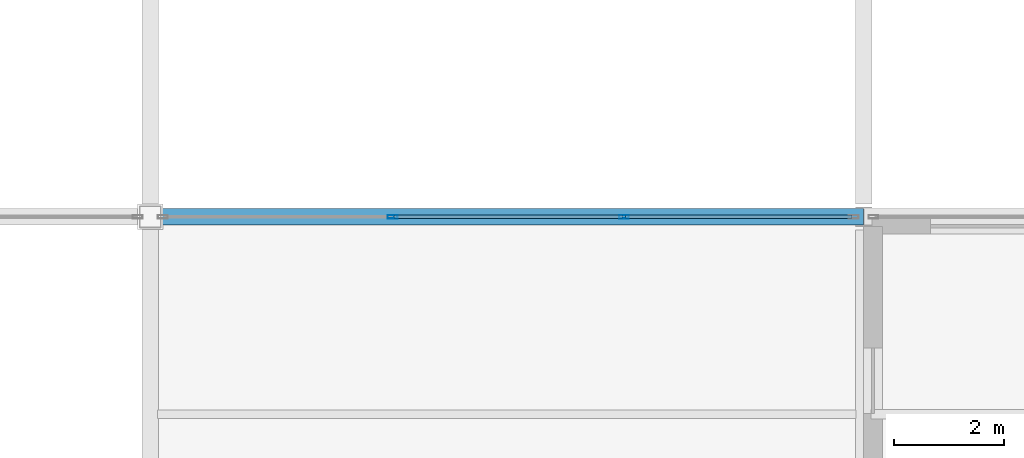
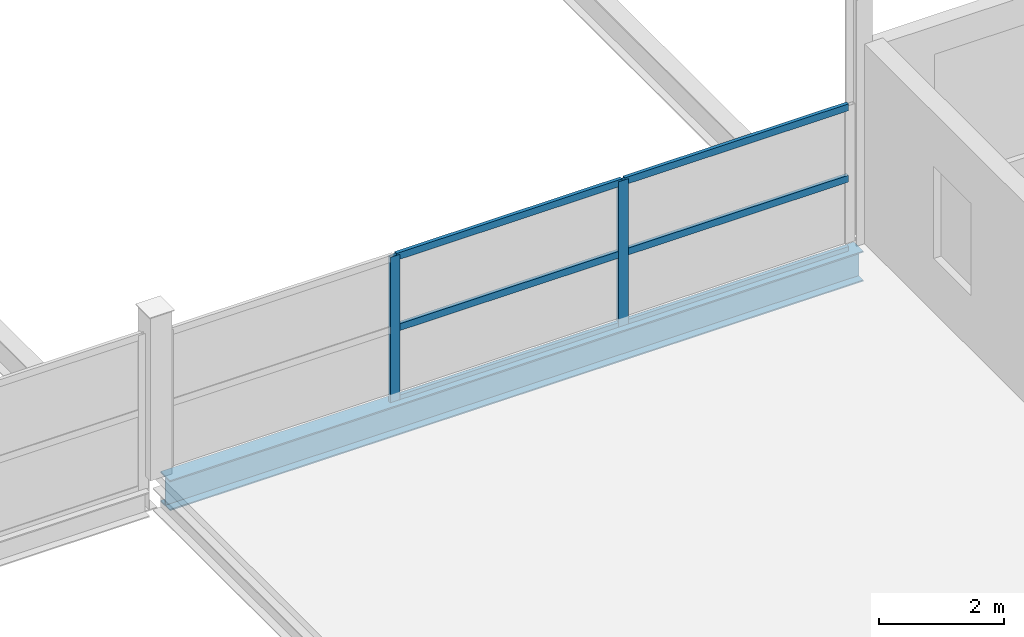
# One storey, part 85 of 134: 8 members, 1 beam, 1 element without a shape of its own.
"""IFC4 building model written with IfcOpenShell, lengths in metres."""

import ifcopenshell
import ifcopenshell.guid

model = None  # the IFC model being written
_history = None  # IfcOwnerHistory: only IFC2X3 demands one
_inside = {}  # id of a spatial element -> (the spatial element, [elements in it])
_under = {}  # id of a project, library or spatial element -> (it, [spatial elements below it])
_declared = {}  # id of a project -> (the project, [libraries it declares])
_typed = {}  # id of a type object -> (the type object, [elements of that type])
_made_of = {}  # id of a material, layer set ... -> (it, [elements and type objects made of it])


def new_model(schema):
    """Start an empty IFC model of exactly this schema.

    Asked for "IFC4X3", IfcOpenShell would pick the latest addendum, in which some entities
    have other attributes; the version numbers below select the first issue.
    IFC2X3 requires an IfcOwnerHistory on every rooted entity: one is made here for all.
    """
    global model, _history
    if schema == "IFC4X3":
        model = ifcopenshell.file(schema_version=(4, 3, 0, 0))
    else:
        model = ifcopenshell.file(schema=schema)
    _inside.clear()
    _under.clear()
    _declared.clear()
    _typed.clear()
    _made_of.clear()
    _history = None
    if model.schema == "IFC2X3":
        org = make("IfcOrganization", Name="unknown")
        user = make(
            "IfcPersonAndOrganization",
            ThePerson=make("IfcPerson", FamilyName="unknown"),
            TheOrganization=org,
        )
        app = make(
            "IfcApplication",
            ApplicationDeveloper=org,
            Version="unknown",
            ApplicationFullName="unknown",
            ApplicationIdentifier="unknown",
        )
        _history = make(
            "IfcOwnerHistory",
            OwningUser=user,
            OwningApplication=app,
            ChangeAction="ADDED",
            CreationDate=0,
        )
    return model


def make(cls, **values):
    """One entity of the class cls with the attributes given. An attribute that is None is left unset."""
    return model.create_entity(
        cls, **{name: value for name, value in values.items() if value is not None}
    )


def rooted(cls, **values):
    """An entity with a GlobalId (a new one), such as an element, a storey or a relation."""
    return make(cls, GlobalId=ifcopenshell.guid.new(), OwnerHistory=_history, **values)


def si_unit(unit_type, name, prefix=None):
    """IfcSIUnit, for example si_unit("LENGTHUNIT", "METRE", prefix="MILLI")."""
    return make("IfcSIUnit", UnitType=unit_type, Prefix=prefix, Name=name)


def assignment(units):
    """IfcUnitAssignment: the units of a project."""
    return None if units is None else make("IfcUnitAssignment", Units=units)


def point(xyz):
    """IfcCartesianPoint."""
    return None if xyz is None else make("IfcCartesianPoint", Coordinates=xyz)


def direction(xyz):
    """IfcDirection."""
    return None if xyz is None else make("IfcDirection", DirectionRatios=xyz)


def frame(location, z_axis=None, x_axis=None):
    """IfcAxis2Placement3D, a coordinate frame: its origin and axes. An axis left out is left unset."""
    return make(
        "IfcAxis2Placement3D",
        Location=point(location),
        Axis=direction(z_axis),
        RefDirection=direction(x_axis),
    )


def frame_2d(location, x_axis=None):
    """IfcAxis2Placement2D, a coordinate frame in the plane: its origin and x axis."""
    return make(
        "IfcAxis2Placement2D", Location=point(location), RefDirection=direction(x_axis)
    )


def origin():
    """The frame at (0, 0, 0) with its axes left unset."""
    return frame((0.0, 0.0, 0.0))


def origin_2d():
    """The frame at (0, 0) in the plane with its x axis left unset."""
    return frame_2d((0.0, 0.0))


def place(relative_to, where):
    """IfcLocalPlacement: puts the frame where relative to a parent placement (None: the world)."""
    return make(
        "IfcLocalPlacement", PlacementRelTo=relative_to, RelativePlacement=where
    )


def context(
    kind, dimensions, precision=None, world=None, true_north=None, identifier=None
):
    """IfcGeometricRepresentationContext, for example the 3D "Model" context."""
    return make(
        "IfcGeometricRepresentationContext",
        ContextIdentifier=identifier,
        ContextType=kind,
        CoordinateSpaceDimension=dimensions,
        Precision=precision,
        WorldCoordinateSystem=world,
        TrueNorth=true_north,
    )


def subcontext(parent, identifier, kind, view, scale=None):
    """IfcGeometricRepresentationSubContext, for example "Body" below "Model"."""
    return make(
        "IfcGeometricRepresentationSubContext",
        ContextIdentifier=identifier,
        ContextType=kind,
        ParentContext=parent,
        TargetScale=scale,
        TargetView=view,
    )


def project(units=None, contexts=None):
    """IfcProject with its units and contexts."""
    return rooted(
        "IfcProject",
        Name="project",
        RepresentationContexts=contexts,
        UnitsInContext=assignment(units),
    )


def spatial(cls, under=None, at=None, **own):
    """A site, building, storey or space (cls), placed at a placement, below another one or the project."""
    s = rooted(cls, ObjectPlacement=at, **own)
    if under is not None:
        _under.setdefault(under.id(), (under, []))[1].append(s)
    return s


def profile(cls, at=None, kind="AREA", **sizes):
    """A parametric profile (cls). Its sizes go by their IFC names, for example OverallWidth=200.0."""
    return make(cls, ProfileType=kind, Position=at, **sizes)


def hollow_rectangle(**sizes):
    """IfcRectangleHollowProfileDef."""
    return profile("IfcRectangleHollowProfileDef", **sizes)


def i_section(**sizes):
    """IfcIShapeProfileDef."""
    return profile("IfcIShapeProfileDef", **sizes)


def extrude(swept, where, along, depth):
    """IfcExtrudedAreaSolid: the profile swept, set in the frame where, extruded along a direction by depth."""
    return make(
        "IfcExtrudedAreaSolid",
        SweptArea=swept,
        Position=where,
        ExtrudedDirection=direction(along),
        Depth=depth,
    )


def shape(context_of_items, identifier, shape_type, items):
    """IfcShapeRepresentation: the items that make up one representation, for example the "Body"."""
    return make(
        "IfcShapeRepresentation",
        ContextOfItems=context_of_items,
        RepresentationIdentifier=identifier,
        RepresentationType=shape_type,
        Items=items,
    )


def material(Name=None, Category=None):
    """IfcMaterial."""
    return make("IfcMaterial", Name=Name, Category=Category)


def layer(
    of_material, thickness, ventilated=None, Name=None, Category=None, Priority=None
):
    """IfcMaterialLayer: one layer of a wall or slab, of a material (None: an air gap)."""
    return make(
        "IfcMaterialLayer",
        Material=of_material,
        LayerThickness=thickness,
        IsVentilated=ventilated,
        Name=Name,
        Category=Category,
        Priority=Priority,
    )


def layer_set(layers, Name=None):
    """IfcMaterialLayerSet."""
    return make("IfcMaterialLayerSet", MaterialLayers=layers, LayerSetName=Name)


def material_profile(
    of_material, cross_section, Name=None, Category=None, Priority=None
):
    """IfcMaterialProfile: a cross section and its material."""
    return make(
        "IfcMaterialProfile",
        Name=Name,
        Material=of_material,
        Profile=cross_section,
        Priority=Priority,
        Category=Category,
    )


def profile_set(profiles, Name=None, composite=None):
    """IfcMaterialProfileSet."""
    return make(
        "IfcMaterialProfileSet",
        Name=Name,
        MaterialProfiles=profiles,
        CompositeProfile=composite,
    )


def made_of(thing, what):
    """Note that an element or type object is made of a material, layer set ...; save() writes the relation."""
    if what is not None:
        _made_of.setdefault(what.id(), (what, []))[1].append(thing)
    return thing


def type_object(cls, material=None, **own):
    """A type object (cls), such as IfcWallType, which elements share."""
    return made_of(rooted(cls, **own), material)


def element(
    cls,
    number,
    at=None,
    inside=None,
    cuts=None,
    type_object=None,
    material=None,
    context=None,
    identifier="Body",
    shape_type=None,
    held_by="IfcProductDefinitionShape",
    body=None,
    shapes=None,
    **own,
):
    """One element of the class cls, such as IfcWall. Its Tag is "e" and its number.

    at: its placement. inside: the storey or other place that contains it. cuts: it is an
    opening in that element (IfcRelVoidsElement). A single representation is given by context,
    identifier, shape_type and body (its items); several are given by shapes. held_by: the class
    of the entity that holds the representations. save() writes the other relations.
    """
    e = rooted(cls, Tag="e%d" % number, ObjectPlacement=at, **own)
    if body is not None:
        shapes = [shape(context, identifier, shape_type, body)]
    if shapes is not None:
        e.Representation = make(held_by, Representations=shapes)
    if inside is not None:
        _inside.setdefault(inside.id(), (inside, []))[1].append(e)
    if cuts is not None:
        rooted(
            "IfcRelVoidsElement", RelatingBuildingElement=cuts, RelatedOpeningElement=e
        )
    if type_object is not None:
        _typed.setdefault(type_object.id(), (type_object, []))[1].append(e)
    return made_of(e, material)


def aggregate(whole, parts):
    """IfcRelAggregates: a whole, such as a stair, and the parts it consists of."""
    return rooted("IfcRelAggregates", RelatingObject=whole, RelatedObjects=parts)


def save(model, path):
    """Write the relations noted so far, then the file.

    IfcRelAggregates (storeys below a building ...), IfcRelContainedInSpatialStructure (elements
    in a storey), IfcRelDefinesByType, IfcRelAssociatesMaterial and IfcRelDeclares: one each for
    every whole, place, type object, material and project.
    """
    for whole, parts in _under.values():
        aggregate(whole, parts)
    for where, things in _inside.values():
        rooted(
            "IfcRelContainedInSpatialStructure",
            RelatedElements=things,
            RelatingStructure=where,
        )
    for kind, things in _typed.values():
        rooted("IfcRelDefinesByType", RelatedObjects=things, RelatingType=kind)
    for what, things in _made_of.values():
        rooted("IfcRelAssociatesMaterial", RelatedObjects=things, RelatingMaterial=what)
    for by, libraries in _declared.values():
        rooted("IfcRelDeclares", RelatingContext=by, RelatedDefinitions=libraries)
    model.write(path)


model = new_model("IFC4")

# Units and contexts
model_context = context("Model", 3, precision=1e-05, world=origin(), true_north=direction((0.0, 1.0)))
body_context = subcontext(model_context, "Body", "Model", "MODEL_VIEW")
ifc_project = project(units=[si_unit("LENGTHUNIT", "METRE"), si_unit("AREAUNIT", "SQUARE_METRE"), si_unit("VOLUMEUNIT", "CUBIC_METRE"), si_unit("PLANEANGLEUNIT", "RADIAN"), si_unit("MASSUNIT", "GRAM", prefix="KILO")], contexts=[model_context])

# Site, building, storey
site_placement = place(None, origin())
site = spatial("IfcSite", under=ifc_project, at=site_placement, CompositionType="ELEMENT")
building_placement = place(site_placement, origin())
building = spatial("IfcBuilding", under=site, at=building_placement, Name="Tamarisk Ironworks Central Station", CompositionType="ELEMENT")
storey_placement = place(building_placement, frame((0.0, 0.0, 12.60009765625)))
storey = spatial("IfcBuildingStorey", under=building, at=storey_placement, Name="L02", CompositionType="ELEMENT", Elevation=12.60009765625)

# Beam
ifc_material_1 = material(Name="Structural steel S355J2", Category="steel")
ifc_material_profile_1 = material_profile(ifc_material_1, i_section(OverallWidth=0.300048828125, OverallDepth=0.590087890625, WebThickness=0.012939453125, FlangeThickness=0.02490234375, at=origin_2d()), Name="HEA 600")
ifc_profile_set_1 = profile_set([ifc_material_profile_1], Name="Structural steel S355J2")
beam_type = type_object("IfcBeamType", Name="BM-G03", PredefinedType="BEAM", material=ifc_profile_set_1)
beam_placement = place(storey_placement, frame((140.18798828125, 21.60009765625, -0.455078125), z_axis=(1.0, 0.0, 0.0), x_axis=(0.0, 1.0, 0.0)))
element("IfcBeam", 1, at=beam_placement, inside=storey, type_object=beam_type, Name="L02 primary girder X-0316", PredefinedType="BEAM", context=body_context, shape_type="SweptSolid", body=[
    extrude(i_section(OverallWidth=0.300048828125, OverallDepth=0.590087890625, WebThickness=0.012939453125, FlangeThickness=0.02490234375, at=origin_2d()), origin(), (0.0, 0.0, 1.0), 12.80810546875),
])

# Curtain wall, members
ifc_material_2 = material(Name="Anodized aluminium alloy 6063-T6", Category="aluminium")
ifc_layer = layer(ifc_material_2, 0.179931640625)
ifc_layer_set = layer_set([ifc_layer], Name="Anodized aluminium alloy 6063-T6")
curtain_wall_type = type_object("IfcCurtainWallType", Name="CW-07", PredefinedType="USERDEFINED", material=ifc_layer_set)
curtain_wall_placement = place(storey_placement, origin())
curtain_wall = element("IfcCurtainWall", 2, at=curtain_wall_placement, inside=storey, type_object=curtain_wall_type, Name="Train shed ES clerestory curtain wall 140", ObjectType="GLAZED CURTAIN WALL", PredefinedType="USERDEFINED")
ifc_material_profile_2 = material_profile(ifc_material_2, hollow_rectangle(XDim=0.06494140625, YDim=0.179931640625, WallThickness=0.00390625, at=origin_2d()), Name="ALUM 180x65")
ifc_profile_set_2 = profile_set([ifc_material_profile_2], Name="Anodized aluminium alloy 6063-T6")
member_type_1 = type_object("IfcMemberType", Name="CWM-02", PredefinedType="MULLION", material=ifc_profile_set_2)
member_1_placement = place(storey_placement, frame((144.416015625, 21.60009765625, -0.170166015625), z_axis=(0.0, 0.0, 1.0), x_axis=(0.0, 1.0, 0.0)))
member_1 = element("IfcMember", 3, at=member_1_placement, type_object=member_type_1, Name="CW07 mullion 2", PredefinedType="MULLION", context=body_context, shape_type="SweptSolid", body=[
    extrude(hollow_rectangle(XDim=0.06494140625, YDim=0.179931640625, WallThickness=0.00390625, at=origin_2d()), origin(), (0.0, 0.0, 1.0), 2.85009765625),
])
member_2_placement = place(storey_placement, frame((148.634033203125, 21.60009765625, -0.170166015625), z_axis=(0.0, 0.0, 1.0), x_axis=(0.0, 1.0, 0.0)))
member_2 = element("IfcMember", 4, at=member_2_placement, type_object=member_type_1, Name="CW07 mullion 3", PredefinedType="MULLION", context=body_context, shape_type="SweptSolid", body=[
    extrude(hollow_rectangle(XDim=0.06494140625, YDim=0.179931640625, WallThickness=0.00390625, at=origin_2d()), origin(), (0.0, 0.0, 1.0), 2.85009765625),
])
ifc_material_profile_3 = material_profile(ifc_material_2, hollow_rectangle(XDim=0.06494140625, YDim=0.135009765625, WallThickness=0.00341796875, at=origin_2d()), Name="ALUM 135x65")
ifc_profile_set_3 = profile_set([ifc_material_profile_3], Name="Anodized aluminium alloy 6063-T6")
member_type_2 = type_object("IfcMemberType", Name="CWT-02", PredefinedType="USERDEFINED", material=ifc_profile_set_3)
member_3_placement = place(storey_placement, frame((144.444580078125, 21.60009765625, -0.1376953125), z_axis=(1.0, 0.0, 0.0), x_axis=(0.0, 1.0, 0.0)))
member_3 = element("IfcMember", 5, at=member_3_placement, type_object=member_type_2, Name="CW07 transom 2.1", ObjectType="TRANSOM", PredefinedType="USERDEFINED", context=body_context, shape_type="SweptSolid", body=[
    extrude(hollow_rectangle(XDim=0.06494140625, YDim=0.135009765625, WallThickness=0.00341796875, at=origin_2d()), origin(), (0.0, 0.0, 1.0), 4.160888671875),
])
member_4_placement = place(storey_placement, frame((144.444580078125, 21.60009765625, 1.2548828125), z_axis=(1.0, 0.0, 0.0), x_axis=(0.0, 1.0, 0.0)))
member_4 = element("IfcMember", 6, at=member_4_placement, type_object=member_type_2, Name="CW07 transom 2.2", ObjectType="TRANSOM", PredefinedType="USERDEFINED", context=body_context, shape_type="SweptSolid", body=[
    extrude(hollow_rectangle(XDim=0.06494140625, YDim=0.135009765625, WallThickness=0.00341796875, at=origin_2d()), origin(), (0.0, 0.0, 1.0), 4.160888671875),
])
member_5_placement = place(storey_placement, frame((144.444580078125, 21.60009765625, 2.6474609375), z_axis=(1.0, 0.0, 0.0), x_axis=(0.0, 1.0, 0.0)))
member_5 = element("IfcMember", 7, at=member_5_placement, type_object=member_type_2, Name="CW07 transom 2.3", ObjectType="TRANSOM", PredefinedType="USERDEFINED", context=body_context, shape_type="SweptSolid", body=[
    extrude(hollow_rectangle(XDim=0.06494140625, YDim=0.135009765625, WallThickness=0.00341796875, at=origin_2d()), origin(), (0.0, 0.0, 1.0), 4.160888671875),
])
member_6_placement = place(storey_placement, frame((148.66259765625, 21.60009765625, -0.1376953125), z_axis=(1.0, 0.0, 0.0), x_axis=(0.0, 1.0, 0.0)))
member_6 = element("IfcMember", 8, at=member_6_placement, type_object=member_type_2, Name="CW07 transom 3.1", ObjectType="TRANSOM", PredefinedType="USERDEFINED", context=body_context, shape_type="SweptSolid", body=[
    extrude(hollow_rectangle(XDim=0.06494140625, YDim=0.135009765625, WallThickness=0.00341796875, at=origin_2d()), origin(), (0.0, 0.0, 1.0), 4.12841796875),
])
member_7_placement = place(storey_placement, frame((148.66259765625, 21.60009765625, 1.2548828125), z_axis=(1.0, 0.0, 0.0), x_axis=(0.0, 1.0, 0.0)))
member_7 = element("IfcMember", 9, at=member_7_placement, type_object=member_type_2, Name="CW07 transom 3.2", ObjectType="TRANSOM", PredefinedType="USERDEFINED", context=body_context, shape_type="SweptSolid", body=[
    extrude(hollow_rectangle(XDim=0.06494140625, YDim=0.135009765625, WallThickness=0.00341796875, at=origin_2d()), origin(), (0.0, 0.0, 1.0), 4.12841796875),
])
member_8_placement = place(storey_placement, frame((148.66259765625, 21.60009765625, 2.6474609375), z_axis=(1.0, 0.0, 0.0), x_axis=(0.0, 1.0, 0.0)))
member_8 = element("IfcMember", 10, at=member_8_placement, type_object=member_type_2, Name="CW07 transom 3.3", ObjectType="TRANSOM", PredefinedType="USERDEFINED", context=body_context, shape_type="SweptSolid", body=[
    extrude(hollow_rectangle(XDim=0.06494140625, YDim=0.135009765625, WallThickness=0.00341796875, at=origin_2d()), origin(), (0.0, 0.0, 1.0), 4.12841796875),
])
aggregate(curtain_wall, [member_1, member_2, member_3, member_4, member_5, member_6, member_7, member_8])

save(model, "model.ifc")
